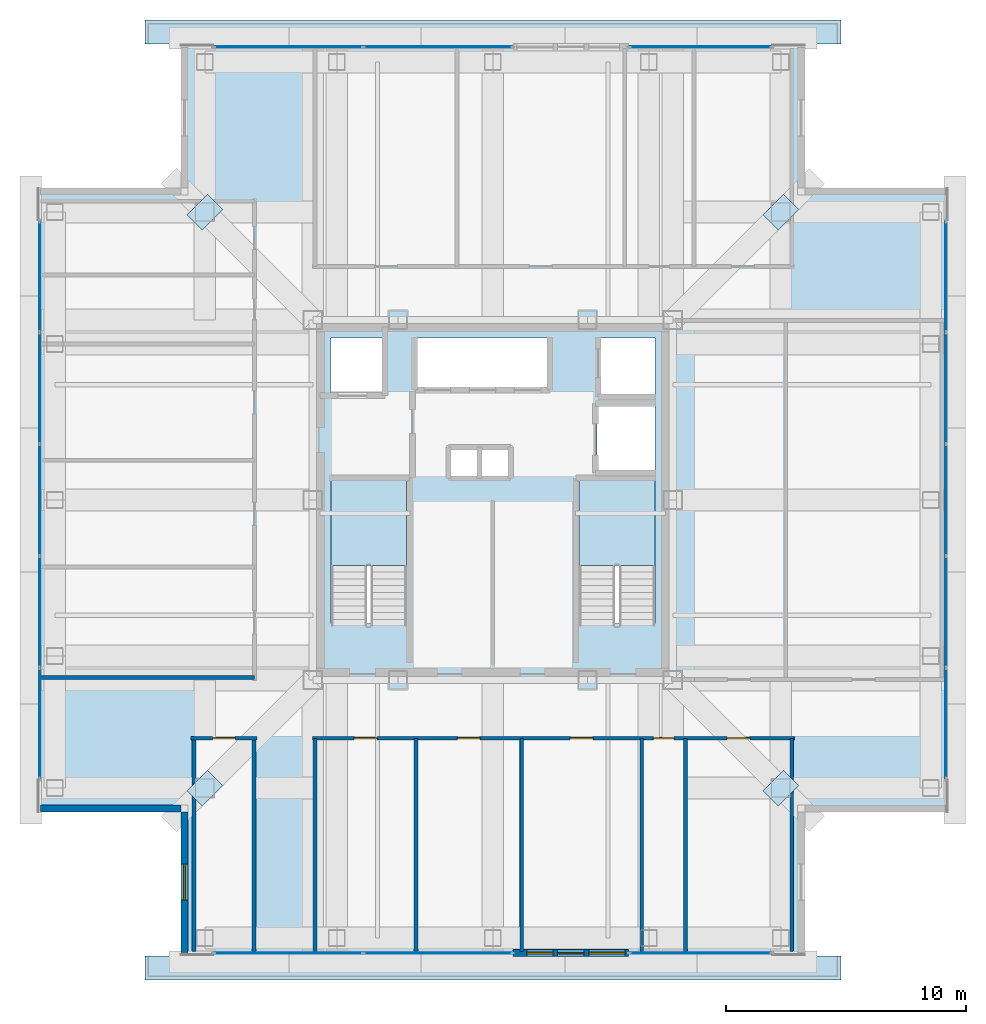
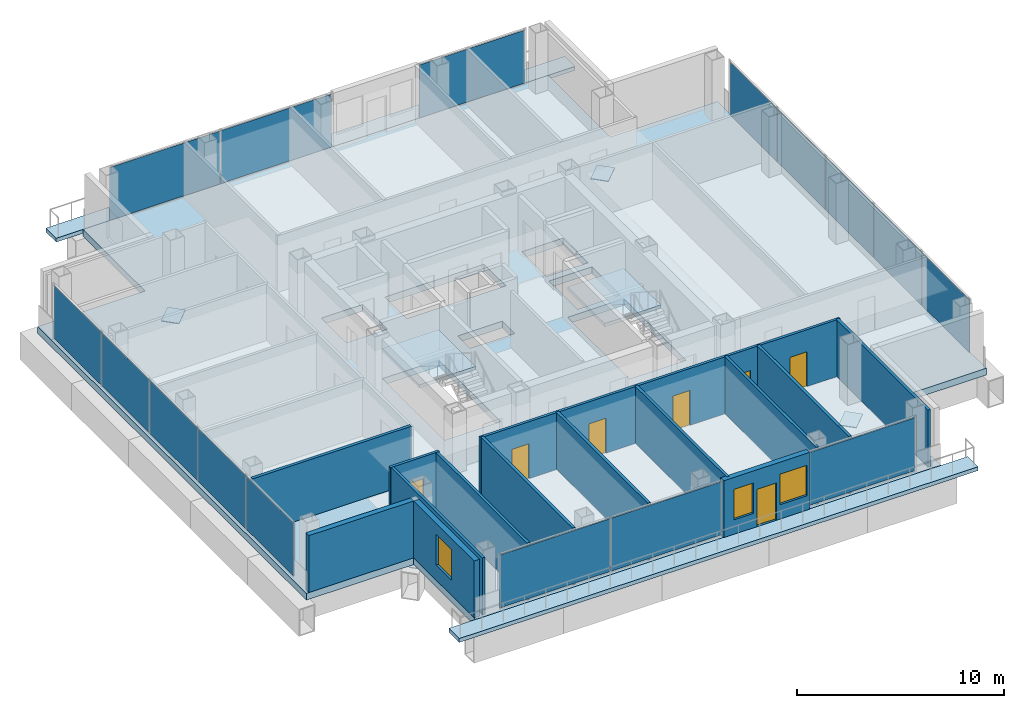
# One storey, part 7 of 15: 20 plates, 14 walls, 7 doors, 5 slabs, 3 windows, 10 openings, 8 elements without a shape of their own.
"""IFC4 building model written with IfcOpenShell, lengths in metres."""

from ifc_helpers import new_model, si_unit, direction, frame, frame_2d, origin, origin_2d, place, context, subcontext, project, spatial, polyline, rectangle, outline, extrude, material, layer, layer_set, type_object, element, fill, aggregate, save


model = new_model("IFC4")

# Units and contexts
model_context = context("Model", 3, precision=1e-05, world=origin(), true_north=direction((0.0, 1.0)))
body_context = subcontext(model_context, "Body", "Model", "MODEL_VIEW")
ifc_project = project(units=[si_unit("LENGTHUNIT", "METRE"), si_unit("AREAUNIT", "SQUARE_METRE"), si_unit("VOLUMEUNIT", "CUBIC_METRE"), si_unit("PLANEANGLEUNIT", "RADIAN"), si_unit("MASSUNIT", "GRAM", prefix="KILO")], contexts=[model_context])

# Site, building, storey
site_placement = place(None, origin())
site = spatial("IfcSite", under=ifc_project, at=site_placement, CompositionType="ELEMENT")
building_placement = place(site_placement, origin())
building = spatial("IfcBuilding", under=site, at=building_placement, Name="Trevonay Congress Spire", CompositionType="ELEMENT")
storey_placement = place(building_placement, frame((0.0, 0.0, 232.39990234375)))
storey = spatial("IfcBuildingStorey", under=building, at=storey_placement, Name="L60", CompositionType="ELEMENT", Elevation=232.39990234375)

# Curtain wall, plates
ifc_material_1 = material(Name="Pale Anodised Aluminium EN AW-6063-T6", Category="aluminium")
ifc_layer_1 = layer(ifc_material_1, 0.1650390625, Name="Pale Anodised Aluminium EN AW-6063-T6")
ifc_layer_set_1 = layer_set([ifc_layer_1], Name="Pale Anodised Aluminium EN AW-6063-T6")
curtain_wall_type = type_object("IfcCurtainWallType", Name="CW-SYS05-DIPLOM-PALE-METAL", PredefinedType="NOTDEFINED", material=ifc_layer_set_1)
curtain_wall_1_placement = place(storey_placement, origin())
curtain_wall_1 = element("IfcCurtainWall", 1, at=curtain_wall_1_placement, inside=storey, type_object=curtain_wall_type, Name="L60 SA unitised curtain wall", PredefinedType="NOTDEFINED")
ifc_material_2 = material(Name="Insulated Low-E Vision Glass IGU", Category="glass")
ifc_layer_2 = layer(ifc_material_2, 0.035888671875, Name="Insulated Low-E Vision Glass IGU")
ifc_layer_set_2 = layer_set([ifc_layer_2], Name="Insulated Low-E Vision Glass IGU")
plate_type_1 = type_object("IfcPlateType", Name="CW-PANEL-IGU36-SILVER", PredefinedType="CURTAIN_PANEL", material=ifc_layer_set_2)
plate_1_placement = place(storey_placement, frame((-8.510009765625, -18.8798828125, 0.1201171875), z_axis=(0.0, 0.0, 1.0), x_axis=(1.0, 0.0, 0.0)))
plate_1 = element("IfcPlate", 2, at=plate_1_placement, type_object=plate_type_1, Name="CW05 panel 1.1", PredefinedType="CURTAIN_PANEL", context=body_context, shape_type="SweptSolid", body=[
    extrude(rectangle(XDim=6.159912109375, YDim=0.035888671875, at=origin_2d()), origin(), (0.0, 0.0, 1.0), 3.1201171875),
])
plate_2_placement = place(storey_placement, frame((-2.2900390625, -18.8798828125, 0.1201171875), z_axis=(0.0, 0.0, 1.0), x_axis=(1.0, 0.0, 0.0)))
plate_2 = element("IfcPlate", 3, at=plate_2_placement, type_object=plate_type_1, Name="CW05 panel 2.1", PredefinedType="CURTAIN_PANEL", context=body_context, shape_type="SweptSolid", body=[
    extrude(rectangle(XDim=6.159912109375, YDim=0.035888671875, at=origin_2d()), origin(), (0.0, 0.0, 1.0), 3.1201171875),
])
aggregate(curtain_wall_1, [plate_1, plate_2])

# Curtain wall, plate
curtain_wall_2_placement = place(storey_placement, origin())
curtain_wall_2 = element("IfcCurtainWall", 4, at=curtain_wall_2_placement, inside=storey, type_object=curtain_wall_type, Name="L60 SB unitised curtain wall", PredefinedType="NOTDEFINED")
plate_3_placement = place(storey_placement, frame((8.64990234375, -18.8798828125, 0.1201171875), z_axis=(0.0, 0.0, 1.0), x_axis=(1.0, 0.0, 0.0)))
plate_3 = element("IfcPlate", 5, at=plate_3_placement, type_object=plate_type_1, Name="CW05 panel 1.1", PredefinedType="CURTAIN_PANEL", context=body_context, shape_type="SweptSolid", body=[
    extrude(rectangle(XDim=5.8798828125, YDim=0.035888671875, at=origin_2d()), origin(), (0.0, 0.0, 1.0), 3.1201171875),
])
aggregate(curtain_wall_2, [plate_3])

# Curtain wall, plates
curtain_wall_3_placement = place(storey_placement, origin())
curtain_wall_3 = element("IfcCurtainWall", 6, at=curtain_wall_3_placement, inside=storey, type_object=curtain_wall_type, Name="L60 NA unitised curtain wall", PredefinedType="NOTDEFINED")
plate_4_placement = place(storey_placement, frame((-8.510009765625, 18.8798828125, 0.1201171875), z_axis=(0.0, 0.0, 1.0), x_axis=(1.0, 0.0, 0.0)))
plate_4 = element("IfcPlate", 7, at=plate_4_placement, type_object=plate_type_1, Name="CW05 panel 1.1", PredefinedType="CURTAIN_PANEL", context=body_context, shape_type="SweptSolid", body=[
    extrude(rectangle(XDim=6.159912109375, YDim=0.035888671875, at=origin_2d()), origin(), (0.0, 0.0, 1.0), 3.1201171875),
])
plate_5_placement = place(storey_placement, frame((-2.2900390625, 18.8798828125, 0.1201171875), z_axis=(0.0, 0.0, 1.0), x_axis=(1.0, 0.0, 0.0)))
plate_5 = element("IfcPlate", 8, at=plate_5_placement, type_object=plate_type_1, Name="CW05 panel 2.1", PredefinedType="CURTAIN_PANEL", context=body_context, shape_type="SweptSolid", body=[
    extrude(rectangle(XDim=6.159912109375, YDim=0.035888671875, at=origin_2d()), origin(), (0.0, 0.0, 1.0), 3.1201171875),
])
aggregate(curtain_wall_3, [plate_4, plate_5])

# Curtain wall, plate
curtain_wall_4_placement = place(storey_placement, origin())
curtain_wall_4 = element("IfcCurtainWall", 9, at=curtain_wall_4_placement, inside=storey, type_object=curtain_wall_type, Name="L60 NB unitised curtain wall", PredefinedType="NOTDEFINED")
plate_6_placement = place(storey_placement, frame((8.64990234375, 18.8798828125, 0.1201171875), z_axis=(0.0, 0.0, 1.0), x_axis=(1.0, 0.0, 0.0)))
plate_6 = element("IfcPlate", 10, at=plate_6_placement, type_object=plate_type_1, Name="CW05 panel 1.1", PredefinedType="CURTAIN_PANEL", context=body_context, shape_type="SweptSolid", body=[
    extrude(rectangle(XDim=5.8798828125, YDim=0.035888671875, at=origin_2d()), origin(), (0.0, 0.0, 1.0), 3.1201171875),
])
aggregate(curtain_wall_4, [plate_6])

# Curtain wall, plates
curtain_wall_5_placement = place(storey_placement, origin())
curtain_wall_5 = element("IfcCurtainWall", 11, at=curtain_wall_5_placement, inside=storey, type_object=curtain_wall_type, Name="L60 W unitised curtain wall", PredefinedType="NOTDEFINED")
plate_7_placement = place(storey_placement, frame((-18.8798828125, -9.304931640625, 0.1201171875), z_axis=(0.0, 0.0, 1.0), x_axis=(0.0, 1.0, 0.0)))
plate_7 = element("IfcPlate", 12, at=plate_7_placement, type_object=plate_type_1, Name="CW05 panel 1.1", PredefinedType="CURTAIN_PANEL", context=body_context, shape_type="SweptSolid", body=[
    extrude(rectangle(XDim=4.570068359375, YDim=0.035888671875, at=origin_2d()), origin(), (0.0, 0.0, 1.0), 3.1201171875),
])
plate_8_placement = place(storey_placement, frame((-18.8798828125, -4.659912109375, 0.1201171875), z_axis=(0.0, 0.0, 1.0), x_axis=(0.0, 1.0, 0.0)))
plate_8 = element("IfcPlate", 13, at=plate_8_placement, type_object=plate_type_1, Name="CW05 panel 2.1", PredefinedType="CURTAIN_PANEL", context=body_context, shape_type="SweptSolid", body=[
    extrude(rectangle(XDim=4.60009765625, YDim=0.035888671875, at=origin_2d()), origin(), (0.0, 0.0, 1.0), 3.1201171875),
])
plate_9_placement = place(storey_placement, frame((-18.8798828125, 0.0, 0.1201171875), z_axis=(0.0, 0.0, 1.0), x_axis=(0.0, 1.0, 0.0)))
plate_9 = element("IfcPlate", 14, at=plate_9_placement, type_object=plate_type_1, Name="CW05 panel 3.1", PredefinedType="CURTAIN_PANEL", context=body_context, shape_type="SweptSolid", body=[
    extrude(rectangle(XDim=4.60009765625, YDim=0.035888671875, at=origin_2d()), origin(), (0.0, 0.0, 1.0), 3.1201171875),
])
plate_10_placement = place(storey_placement, frame((-18.8798828125, 4.659912109375, 0.1201171875), z_axis=(0.0, 0.0, 1.0), x_axis=(0.0, 1.0, 0.0)))
plate_10 = element("IfcPlate", 15, at=plate_10_placement, type_object=plate_type_1, Name="CW05 panel 4.1", PredefinedType="CURTAIN_PANEL", context=body_context, shape_type="SweptSolid", body=[
    extrude(rectangle(XDim=4.60009765625, YDim=0.035888671875, at=origin_2d()), origin(), (0.0, 0.0, 1.0), 3.1201171875),
])
plate_11_placement = place(storey_placement, frame((-18.8798828125, 9.304931640625, 0.1201171875), z_axis=(0.0, 0.0, 1.0), x_axis=(0.0, 1.0, 0.0)))
plate_11 = element("IfcPlate", 16, at=plate_11_placement, type_object=plate_type_1, Name="CW05 panel 5.1", PredefinedType="CURTAIN_PANEL", context=body_context, shape_type="SweptSolid", body=[
    extrude(rectangle(XDim=4.570068359375, YDim=0.035888671875, at=origin_2d()), origin(), (0.0, 0.0, 1.0), 3.1201171875),
])
aggregate(curtain_wall_5, [plate_7, plate_8, plate_9, plate_10, plate_11])

curtain_wall_6_placement = place(storey_placement, origin())
curtain_wall_6 = element("IfcCurtainWall", 17, at=curtain_wall_6_placement, inside=storey, type_object=curtain_wall_type, Name="L60 E unitised curtain wall", PredefinedType="NOTDEFINED")
plate_12_placement = place(storey_placement, frame((18.8798828125, -9.304931640625, 0.1201171875), z_axis=(0.0, 0.0, 1.0), x_axis=(0.0, 1.0, 0.0)))
plate_12 = element("IfcPlate", 18, at=plate_12_placement, type_object=plate_type_1, Name="CW05 panel 1.1", PredefinedType="CURTAIN_PANEL", context=body_context, shape_type="SweptSolid", body=[
    extrude(rectangle(XDim=4.570068359375, YDim=0.035888671875, at=origin_2d()), origin(), (0.0, 0.0, 1.0), 3.1201171875),
])
plate_13_placement = place(storey_placement, frame((18.8798828125, -4.659912109375, 0.1201171875), z_axis=(0.0, 0.0, 1.0), x_axis=(0.0, 1.0, 0.0)))
plate_13 = element("IfcPlate", 19, at=plate_13_placement, type_object=plate_type_1, Name="CW05 panel 2.1", PredefinedType="CURTAIN_PANEL", context=body_context, shape_type="SweptSolid", body=[
    extrude(rectangle(XDim=4.60009765625, YDim=0.035888671875, at=origin_2d()), origin(), (0.0, 0.0, 1.0), 3.1201171875),
])
plate_14_placement = place(storey_placement, frame((18.8798828125, 0.0, 0.1201171875), z_axis=(0.0, 0.0, 1.0), x_axis=(0.0, 1.0, 0.0)))
plate_14 = element("IfcPlate", 20, at=plate_14_placement, type_object=plate_type_1, Name="CW05 panel 3.1", PredefinedType="CURTAIN_PANEL", context=body_context, shape_type="SweptSolid", body=[
    extrude(rectangle(XDim=4.60009765625, YDim=0.035888671875, at=origin_2d()), origin(), (0.0, 0.0, 1.0), 3.1201171875),
])
plate_15_placement = place(storey_placement, frame((18.8798828125, 4.659912109375, 0.1201171875), z_axis=(0.0, 0.0, 1.0), x_axis=(0.0, 1.0, 0.0)))
plate_15 = element("IfcPlate", 21, at=plate_15_placement, type_object=plate_type_1, Name="CW05 panel 4.1", PredefinedType="CURTAIN_PANEL", context=body_context, shape_type="SweptSolid", body=[
    extrude(rectangle(XDim=4.60009765625, YDim=0.035888671875, at=origin_2d()), origin(), (0.0, 0.0, 1.0), 3.1201171875),
])
plate_16_placement = place(storey_placement, frame((18.8798828125, 9.304931640625, 0.1201171875), z_axis=(0.0, 0.0, 1.0), x_axis=(0.0, 1.0, 0.0)))
plate_16 = element("IfcPlate", 22, at=plate_16_placement, type_object=plate_type_1, Name="CW05 panel 5.1", PredefinedType="CURTAIN_PANEL", context=body_context, shape_type="SweptSolid", body=[
    extrude(rectangle(XDim=4.570068359375, YDim=0.035888671875, at=origin_2d()), origin(), (0.0, 0.0, 1.0), 3.1201171875),
])
aggregate(curtain_wall_6, [plate_12, plate_13, plate_14, plate_15, plate_16])

# Plates
ifc_material_3 = material(Name="Steel ASTM A572 Grade 50", Category="steel")
ifc_layer_3 = layer(ifc_material_3, 0.044921875, Name="Steel ASTM A572 Grade 50")
ifc_layer_set_3 = layer_set([ifc_layer_3], Name="Steel ASTM A572 Grade 50")
plate_type_2 = type_object("IfcPlateType", Name="PLT-GUSSET-INT-45", PredefinedType="USERDEFINED", material=ifc_layer_set_3)
for number, where, z_axis, x_axis, name in (
    (23, (-12.0, -12.0, -1.222412109375), (0.0, 0.0, 1.0), (0.707106781187, 0.707106781187, 0.0), "L60 setback column transfer gusset plate KN-01 (SW)"),
    (24, (12.0, -12.0, -1.222412109375), (0.0, 0.0, 1.0), (0.707106781187, 0.707106781187, 0.0), "L60 setback column transfer gusset plate KN-01 (SE)"),
    (25, (12.0, 12.0, -1.222412109375), (0.0, 0.0, 1.0), (0.707106781187, 0.707106781187, 0.0), "L60 setback column transfer gusset plate KN-01 (NE)"),
    (26, (-12.0, 12.0, -1.222412109375), (0.0, 0.0, 1.0), (0.707106781187, 0.707106781187, 0.0), "L60 setback column transfer gusset plate KN-01 (NW)"),
):
    element("IfcPlate", number, at=place(storey_placement, frame(where, z_axis=z_axis, x_axis=x_axis)), inside=storey, type_object=plate_type_2, Name=name, ObjectType="GUSSET_PLATE", PredefinedType="USERDEFINED", context=body_context, shape_type="SweptSolid", body=[
        extrude(rectangle(XDim=1.199951171875, YDim=0.89990234375, at=origin_2d()), origin(), (0.0, 0.0, 1.0), 0.044921875),
    ])

# Slabs
ifc_material_4 = material(Name="Concrete C40/50", Category="concrete")
ifc_layer_4 = layer(ifc_material_4, 0.22998046875, Name="Concrete C40/50")
ifc_layer_set_4 = layer_set([ifc_layer_4], Name="Concrete C40/50")
slab_type_1 = type_object("IfcSlabType", Name="SLB-SKYGARD-230", PredefinedType="FLOOR", material=ifc_layer_set_4)
slab_1_placement = place(storey_placement, frame((0.0, 0.0, -0.22998046875)))
element("IfcSlab", 27, at=slab_1_placement, inside=storey, type_object=slab_type_1, Name="L60 setback sky-garden terrace slab S", PredefinedType="FLOOR", context=body_context, shape_type="SweptSolid", body=[
    extrude(outline(polyline([(-14.5, -20.0), (14.5, -20.0), (14.5, -19.0), (-14.5, -19.0), (-14.5, -20.0)])), origin(), (0.0, 0.0, 1.0), 0.22998046875),
])
slab_2_placement = place(storey_placement, frame((0.0, 0.0, -0.22998046875)))
element("IfcSlab", 28, at=slab_2_placement, inside=storey, type_object=slab_type_1, Name="L60 setback sky-garden terrace slab N", PredefinedType="FLOOR", context=body_context, shape_type="SweptSolid", body=[
    extrude(outline(polyline([(-14.5, 19.0), (14.5, 19.0), (14.5, 20.0), (-14.5, 20.0), (-14.5, 19.0)])), origin(), (0.0, 0.0, 1.0), 0.22998046875),
])

# Stair, slab
stair_type_1 = type_object("IfcStairType", Name="STR-ST-1", PredefinedType="HALF_TURN_STAIR", material=ifc_material_4)
stair_1_placement = place(storey_placement, origin())
stair_1 = element("IfcStair", 29, at=stair_1_placement, inside=storey, type_object=stair_type_1, Name="L60 Protected Exit Stair ST-1", PredefinedType="HALF_TURN_STAIR")
ifc_layer_5 = layer(ifc_material_4, 0.199951171875, Name="Concrete C40/50")
ifc_layer_set_5 = layer_set([ifc_layer_5], Name="Concrete C40/50")
slab_type_2 = type_object("IfcSlabType", Name="SLB-STAIR-LAND-200", PredefinedType="LANDING", material=ifc_layer_set_5)
slab_3_placement = place(storey_placement, frame((0.0, 0.0, 1.60009765625)))
slab_3 = element("IfcSlab", 30, at=slab_3_placement, type_object=slab_type_2, Name="ST-1 landing 1", PredefinedType="LANDING", context=body_context, shape_type="SweptSolid", body=[
    extrude(outline(polyline([(-3.60009765625, -2.72998046875), (-3.60009765625, 0.85009765625), (-6.75, 0.85009765625), (-6.75, -2.72998046875), (-3.60009765625, -2.72998046875)])), origin(), (0.0, 0.0, 1.0), 0.199951171875),
])
aggregate(stair_1, [slab_3])

stair_type_2 = type_object("IfcStairType", Name="STR-ST-2", PredefinedType="HALF_TURN_STAIR", material=ifc_material_4)
stair_2_placement = place(storey_placement, origin())
stair_2 = element("IfcStair", 31, at=stair_2_placement, inside=storey, type_object=stair_type_2, Name="L60 Protected Exit Stair ST-2", PredefinedType="HALF_TURN_STAIR")
slab_4_placement = place(storey_placement, frame((0.0, 0.0, 1.60009765625)))
slab_4 = element("IfcSlab", 32, at=slab_4_placement, type_object=slab_type_2, Name="ST-2 landing 1", PredefinedType="LANDING", context=body_context, shape_type="SweptSolid", body=[
    extrude(outline(polyline([(6.75, -2.72998046875), (6.75, 0.85009765625), (3.60009765625, 0.85009765625), (3.60009765625, -2.72998046875), (6.75, -2.72998046875)])), origin(), (0.0, 0.0, 1.0), 0.199951171875),
])
aggregate(stair_2, [slab_4])

# Slab
ifc_layer_6 = layer(ifc_material_4, 0.39990234375, Name="Concrete C40/50")
ifc_layer_set_6 = layer_set([ifc_layer_6], Name="Concrete C40/50")
slab_type_3 = type_object("IfcSlabType", Name="SLB-XFER-400", PredefinedType="FLOOR", material=ifc_layer_set_6)
slab_5_placement = place(storey_placement, frame((0.0, 0.0, -0.39990234375)))
element("IfcSlab", 33, at=slab_5_placement, inside=storey, type_object=slab_type_3, Name="L60 structural floor slab", PredefinedType="FLOOR", context=body_context, shape_type="SweptSolid", body=[
    extrude(outline(polyline([(-13.0, -19.0), (13.0, -19.0), (13.0, -13.0), (19.0, -13.0), (19.0, 13.0), (13.0, 13.0), (13.0, 19.0), (-13.0, 19.0), (-13.0, 13.0), (-19.0, 13.0), (-19.0, -13.0), (-13.0, -13.0), (-13.0, -19.0)]), holes=[polyline([(-3.60009765625, -5.14990234375), (-3.60009765625, 0.85009765625), (-6.75, 0.85009765625), (-6.75, -5.14990234375), (-3.60009765625, -5.14990234375)]), polyline([(6.75, -5.14990234375), (6.75, 0.85009765625), (3.60009765625, 0.85009765625), (3.60009765625, -5.14990234375), (6.75, -5.14990234375)]), polyline([(-3.199951171875, 4.64990234375), (2.340087890625, 4.64990234375), (2.340087890625, 6.75), (-3.199951171875, 6.75), (-3.199951171875, 4.64990234375)]), polyline([(-6.75, 4.35009765625), (-4.449951171875, 4.35009765625), (-4.449951171875, 6.75), (-6.75, 6.75), (-6.75, 4.35009765625)]), polyline([(4.449951171875, 4.35009765625), (6.75, 4.35009765625), (6.75, 6.75), (4.449951171875, 6.75), (4.449951171875, 4.35009765625)]), polyline([(4.35009765625, 1.199951171875), (6.75, 1.199951171875), (6.75, 3.949951171875), (4.35009765625, 3.949951171875), (4.35009765625, 1.199951171875)]), polyline([(-1.800048828125, 0.949951171875), (0.699951171875, 0.949951171875), (0.699951171875, 2.14990234375), (-1.800048828125, 2.14990234375), (-1.800048828125, 0.949951171875)])]), origin(), (0.0, 0.0, 1.0), 0.39990234375),
])

# Wall, opening, door
ifc_layer_7 = layer(ifc_material_4, 0.14990234375, Name="Concrete C40/50")
ifc_layer_set_7 = layer_set([ifc_layer_7], Name="Concrete C40/50")
wall_type_1 = type_object("IfcWallType", Name="WAL-CORR-150", PredefinedType="PARTITIONING", material=ifc_layer_set_7)
wall_1_placement = place(storey_placement, frame((-12.570068359375, -9.929931640625, 0.0), z_axis=(0.0, 0.0, 1.0), x_axis=(1.0, 0.0, 0.0)))
wall_1 = element("IfcWall", 34, at=wall_1_placement, inside=storey, type_object=wall_type_1, Name="L60 interior wall WP-L60SW-COR", PredefinedType="PARTITIONING", context=body_context, shape_type="SweptSolid", body=[
    extrude(rectangle(XDim=2.739990234375, YDim=0.14990234375, at=frame_2d((1.3701171875, 0.0))), origin(), (0.0, 0.0, 1.0), 3.360107421875),
])
opening_1_placement = place(wall_1_placement, frame((0.89501953125, 0.0, 0.0)))
opening_1 = element("IfcOpeningElement", 35, at=opening_1_placement, cuts=wall_1, Name="Opening D07", PredefinedType="OPENING", context=body_context, shape_type="SweptSolid", body=[
    extrude(rectangle(XDim=0.949951171875, YDim=2.06005859375, at=frame_2d((0.47509765625, 1.030029296875))), frame((0.0, 0.0849609375, 0.0), z_axis=(0.0, -1.0, 0.0), x_axis=(1.0, 0.0, 0.0)), (0.0, 0.0, 1.0), 0.169921875),
])
door_type_1 = type_object("IfcDoorType", Name="DOR-OFFICE-95", OperationType="NOTDEFINED", PredefinedType="DOOR", material=ifc_material_1)
door_1_placement = place(opening_1_placement, origin())
door_1 = element("IfcDoor", 36, at=door_1_placement, inside=storey, type_object=door_type_1, Name="L60 Ambassador Corner Office Door", OperationType="SINGLE_SWING_RIGHT", OverallHeight=2.06005859375, OverallWidth=0.949951171875, PredefinedType="DOOR", context=body_context, shape_type="SweptSolid", body=[
    extrude(rectangle(XDim=0.949951171875, YDim=2.06005859375, at=frame_2d((0.47509765625, 1.030029296875))), frame((0.0, 0.02490234375, 0.0), z_axis=(0.0, -1.0, 0.0), x_axis=(1.0, 0.0, 0.0)), (0.0, 0.0, 1.0), 0.050048828125),
])
fill(opening_1, door_1)

# Wall, openings, doors
wall_2_placement = place(storey_placement, frame((-7.52001953125, -9.929931640625, 0.0), z_axis=(0.0, 0.0, 1.0), x_axis=(1.0, 0.0, 0.0)))
wall_2 = element("IfcWall", 37, at=wall_2_placement, inside=storey, type_object=wall_type_1, Name="L60 interior wall WP-L60SE-COR", PredefinedType="PARTITIONING", context=body_context, shape_type="SweptSolid", body=[
    extrude(rectangle(XDim=20.090087890625, YDim=0.14990234375, at=frame_2d((10.044921875, 0.0))), origin(), (0.0, 0.0, 1.0), 3.360107421875),
])
opening_2_placement = place(wall_2_placement, frame((1.7451171875, 0.0, 0.0)))
opening_2 = element("IfcOpeningElement", 38, at=opening_2_placement, cuts=wall_2, Name="Opening D07", PredefinedType="OPENING", context=body_context, shape_type="SweptSolid", body=[
    extrude(rectangle(XDim=0.949951171875, YDim=2.06005859375, at=frame_2d((0.47509765625, 1.030029296875))), frame((0.0, 0.0849609375, 0.0), z_axis=(0.0, -1.0, 0.0), x_axis=(1.0, 0.0, 0.0)), (0.0, 0.0, 1.0), 0.169921875),
])
opening_3_placement = place(wall_2_placement, frame((6.044921875, 0.0, 0.0)))
opening_3 = element("IfcOpeningElement", 39, at=opening_3_placement, cuts=wall_2, Name="Opening D07", PredefinedType="OPENING", context=body_context, shape_type="SweptSolid", body=[
    extrude(rectangle(XDim=0.949951171875, YDim=2.06005859375, at=frame_2d((0.47509765625, 1.030029296875))), frame((0.0, 0.0849609375, 0.0), z_axis=(0.0, -1.0, 0.0), x_axis=(1.0, 0.0, 0.0)), (0.0, 0.0, 1.0), 0.169921875),
])
opening_4_placement = place(wall_2_placement, frame((10.7451171875, 0.0, 0.0)))
opening_4 = element("IfcOpeningElement", 40, at=opening_4_placement, cuts=wall_2, Name="Opening D07", PredefinedType="OPENING", context=body_context, shape_type="SweptSolid", body=[
    extrude(rectangle(XDim=0.949951171875, YDim=2.06005859375, at=frame_2d((0.47509765625, 1.030029296875))), frame((0.0, 0.0849609375, 0.0), z_axis=(0.0, -1.0, 0.0), x_axis=(1.0, 0.0, 0.0)), (0.0, 0.0, 1.0), 0.169921875),
])
opening_5_placement = place(wall_2_placement, frame((14.2099609375, 0.0, 0.0)))
opening_5 = element("IfcOpeningElement", 41, at=opening_5_placement, cuts=wall_2, Name="Opening D10", PredefinedType="OPENING", context=body_context, shape_type="SweptSolid", body=[
    extrude(rectangle(XDim=0.85009765625, YDim=2.050048828125, at=frame_2d((0.425048828125, 1.02490234375))), frame((0.0, 0.0849609375, 0.0), z_axis=(0.0, -1.0, 0.0), x_axis=(1.0, 0.0, 0.0)), (0.0, 0.0, 1.0), 0.169921875),
])
opening_6_placement = place(wall_2_placement, frame((17.284912109375, 0.0, 0.0)))
opening_6 = element("IfcOpeningElement", 42, at=opening_6_placement, cuts=wall_2, Name="Opening D07", PredefinedType="OPENING", context=body_context, shape_type="SweptSolid", body=[
    extrude(rectangle(XDim=0.949951171875, YDim=2.06005859375, at=frame_2d((0.47509765625, 1.030029296875))), frame((0.0, 0.0849609375, 0.0), z_axis=(0.0, -1.0, 0.0), x_axis=(1.0, 0.0, 0.0)), (0.0, 0.0, 1.0), 0.169921875),
])
door_2_placement = place(opening_2_placement, origin())
door_2 = element("IfcDoor", 43, at=door_2_placement, inside=storey, type_object=door_type_1, Name="L60 Consular Visa Office Door", OperationType="SINGLE_SWING_LEFT", OverallHeight=2.06005859375, OverallWidth=0.949951171875, PredefinedType="DOOR", context=body_context, shape_type="SweptSolid", body=[
    extrude(rectangle(XDim=0.949951171875, YDim=2.06005859375, at=frame_2d((0.47509765625, 1.030029296875))), frame((0.0, 0.02490234375, 0.0), z_axis=(0.0, -1.0, 0.0), x_axis=(1.0, 0.0, 0.0)), (0.0, 0.0, 1.0), 0.050048828125),
])
fill(opening_2, door_2)
door_3_placement = place(opening_3_placement, origin())
door_3 = element("IfcDoor", 44, at=door_3_placement, inside=storey, type_object=door_type_1, Name="L60 Political Chancery Office Door", OperationType="SINGLE_SWING_RIGHT", OverallHeight=2.06005859375, OverallWidth=0.949951171875, PredefinedType="DOOR", context=body_context, shape_type="SweptSolid", body=[
    extrude(rectangle(XDim=0.949951171875, YDim=2.06005859375, at=frame_2d((0.47509765625, 1.030029296875))), frame((0.0, 0.02490234375, 0.0), z_axis=(0.0, -1.0, 0.0), x_axis=(1.0, 0.0, 0.0)), (0.0, 0.0, 1.0), 0.050048828125),
])
fill(opening_3, door_3)
door_4_placement = place(opening_4_placement, origin())
door_4 = element("IfcDoor", 45, at=door_4_placement, inside=storey, type_object=door_type_1, Name="L60 Economic Attache Office Door", OperationType="SINGLE_SWING_LEFT", OverallHeight=2.06005859375, OverallWidth=0.949951171875, PredefinedType="DOOR", context=body_context, shape_type="SweptSolid", body=[
    extrude(rectangle(XDim=0.949951171875, YDim=2.06005859375, at=frame_2d((0.47509765625, 1.030029296875))), frame((0.0, 0.02490234375, 0.0), z_axis=(0.0, -1.0, 0.0), x_axis=(1.0, 0.0, 0.0)), (0.0, 0.0, 1.0), 0.050048828125),
])
fill(opening_4, door_4)
door_5_placement = place(opening_6_placement, origin())
door_5 = element("IfcDoor", 46, at=door_5_placement, inside=storey, type_object=door_type_1, Name="L60 Floor Supplies and Copy Room Door", OperationType="SINGLE_SWING_LEFT", OverallHeight=2.06005859375, OverallWidth=0.949951171875, PredefinedType="DOOR", context=body_context, shape_type="SweptSolid", body=[
    extrude(rectangle(XDim=0.949951171875, YDim=2.06005859375, at=frame_2d((0.47509765625, 1.030029296875))), frame((0.0, 0.02490234375, 0.0), z_axis=(0.0, -1.0, 0.0), x_axis=(1.0, 0.0, 0.0)), (0.0, 0.0, 1.0), 0.050048828125),
])
fill(opening_6, door_5)
door_type_2 = type_object("IfcDoorType", Name="DOR-WC-85", OperationType="NOTDEFINED", PredefinedType="DOOR", material=ifc_material_1)
door_6_placement = place(opening_5_placement, origin())
door_6 = element("IfcDoor", 47, at=door_6_placement, inside=storey, type_object=door_type_2, Name="L60 Accessible WC Door", OperationType="SINGLE_SWING_RIGHT", OverallHeight=2.050048828125, OverallWidth=0.85009765625, PredefinedType="DOOR", context=body_context, shape_type="SweptSolid", body=[
    extrude(rectangle(XDim=0.85009765625, YDim=2.050048828125, at=frame_2d((0.425048828125, 1.02490234375))), frame((0.0, 0.02490234375, 0.0), z_axis=(0.0, -1.0, 0.0), x_axis=(1.0, 0.0, 0.0)), (0.0, 0.0, 1.0), 0.050048828125),
])
fill(opening_5, door_6)

# Wall, openings, door, windows
ifc_material_5 = material(Name="Precast concrete C40/50", Category="concrete")
ifc_layer_8 = layer(ifc_material_5, 0.300048828125, Name="Precast concrete C40/50")
ifc_layer_set_8 = layer_set([ifc_layer_8], Name="Precast concrete C40/50")
wall_type_2 = type_object("IfcWallType", Name="WAL-EXT-PRECAST-300", PredefinedType="SOLIDWALL", material=ifc_layer_set_8)
wall_3_placement = place(storey_placement, frame((0.85009765625, -18.8798828125, 0.0), z_axis=(0.0, 0.0, 1.0), x_axis=(1.0, 0.0, 0.0)))
wall_3 = element("IfcWall", 48, at=wall_3_placement, inside=storey, type_object=wall_type_2, Name="L60 S glazed balcony portal exterior wall", PredefinedType="SOLIDWALL", context=body_context, shape_type="SweptSolid", body=[
    extrude(rectangle(XDim=4.7998046875, YDim=0.300048828125, at=frame_2d((2.39990234375, 0.0))), origin(), (0.0, 0.0, 1.0), 3.360107421875),
])
opening_7_placement = place(wall_3_placement, frame((1.85009765625, 0.0, 0.0)))
opening_7 = element("IfcOpeningElement", 49, at=opening_7_placement, cuts=wall_3, Name="Opening D03", PredefinedType="OPENING", context=body_context, shape_type="SweptSolid", body=[
    extrude(rectangle(XDim=1.10009765625, YDim=2.199951171875, at=frame_2d((0.550048828125, 1.10009765625))), frame((0.0, 0.16015625, 0.0), z_axis=(0.0, -1.0, 0.0), x_axis=(1.0, 0.0, 0.0)), (0.0, 0.0, 1.0), 0.320068359375),
])
opening_8_placement = place(wall_3_placement, frame((0.570068359375, 0.0, 0.85009765625)))
opening_8 = element("IfcOpeningElement", 50, at=opening_8_placement, cuts=wall_3, Name="Opening WN09", PredefinedType="OPENING", context=body_context, shape_type="SweptSolid", body=[
    extrude(rectangle(XDim=1.080078125, YDim=1.800048828125, at=frame_2d((0.5400390625, 0.89990234375))), frame((0.0, 0.16015625, 0.0), z_axis=(0.0, -1.0, 0.0), x_axis=(1.0, 0.0, 0.0)), (0.0, 0.0, 1.0), 0.320068359375),
])
opening_9_placement = place(wall_3_placement, frame((3.14990234375, 0.0, 0.85009765625)))
opening_9 = element("IfcOpeningElement", 51, at=opening_9_placement, cuts=wall_3, Name="Opening WN03", PredefinedType="OPENING", context=body_context, shape_type="SweptSolid", body=[
    extrude(rectangle(XDim=1.5, YDim=1.800048828125, at=frame_2d((0.75, 0.89990234375))), frame((0.0, 0.16015625, 0.0), z_axis=(0.0, -1.0, 0.0), x_axis=(1.0, 0.0, 0.0)), (0.0, 0.0, 1.0), 0.320068359375),
])
door_type_3 = type_object("IfcDoorType", Name="DOR-EXT-BAL-110", OperationType="NOTDEFINED", PredefinedType="DOOR", material=ifc_material_1)
door_7_placement = place(opening_7_placement, origin())
door_7 = element("IfcDoor", 52, at=door_7_placement, inside=storey, type_object=door_type_3, Name="L60 S glazed outdoor terrace and balcony door", OperationType="SINGLE_SWING_LEFT", OverallHeight=2.199951171875, OverallWidth=1.10009765625, PredefinedType="DOOR", context=body_context, shape_type="SweptSolid", body=[
    extrude(rectangle(XDim=1.10009765625, YDim=2.199951171875, at=frame_2d((0.550048828125, 1.10009765625))), frame((0.0, 0.02490234375, 0.0), z_axis=(0.0, -1.0, 0.0), x_axis=(1.0, 0.0, 0.0)), (0.0, 0.0, 1.0), 0.050048828125),
])
fill(opening_7, door_7)
window_type_1 = type_object("IfcWindowType", Name="WIN-NOTCH-150X180", PartitioningType="SINGLE_PANEL", PredefinedType="WINDOW", material=ifc_material_2)
window_1_placement = place(opening_9_placement, origin())
window_1 = element("IfcWindow", 53, at=window_1_placement, inside=storey, type_object=window_type_1, Name="L60 S balcony sidelight window R", OverallHeight=1.800048828125, OverallWidth=1.5, PartitioningType="SINGLE_PANEL", PredefinedType="WINDOW", context=body_context, shape_type="SweptSolid", body=[
    extrude(rectangle(XDim=1.5, YDim=1.800048828125, at=frame_2d((0.75, 0.89990234375))), frame((0.0, 0.030029296875, 0.0), z_axis=(0.0, -1.0, 0.0), x_axis=(1.0, 0.0, 0.0)), (0.0, 0.0, 1.0), 0.06005859375),
])
fill(opening_9, window_1)
window_type_2 = type_object("IfcWindowType", Name="WIN-SIDELIGHT-108X180", PartitioningType="SINGLE_PANEL", PredefinedType="WINDOW", material=ifc_material_2)
window_2_placement = place(opening_8_placement, origin())
window_2 = element("IfcWindow", 54, at=window_2_placement, inside=storey, type_object=window_type_2, Name="L60 S balcony sidelight window L", OverallHeight=1.800048828125, OverallWidth=1.080078125, PartitioningType="SINGLE_PANEL", PredefinedType="WINDOW", context=body_context, shape_type="SweptSolid", body=[
    extrude(rectangle(XDim=1.080078125, YDim=1.800048828125, at=frame_2d((0.5400390625, 0.89990234375))), frame((0.0, 0.030029296875, 0.0), z_axis=(0.0, -1.0, 0.0), x_axis=(1.0, 0.0, 0.0)), (0.0, 0.0, 1.0), 0.06005859375),
])
fill(opening_8, window_2)

# Wall, opening, window
wall_4_placement = place(storey_placement, frame((-12.85009765625, -18.85009765625, 0.0), z_axis=(0.0, 0.0, 1.0), x_axis=(0.0, 1.0, 0.0)))
wall_4 = element("IfcWall", 55, at=wall_4_placement, inside=storey, type_object=wall_type_2, Name="L60 SW re-entrant notch exterior wall 1", PredefinedType="SOLIDWALL", context=body_context, shape_type="SweptSolid", body=[
    extrude(rectangle(XDim=5.85009765625, YDim=0.300048828125, at=frame_2d((2.925048828125, 0.0))), origin(), (0.0, 0.0, 1.0), 3.360107421875),
])
opening_10_placement = place(wall_4_placement, frame((2.175048828125, 0.0, 0.89990234375)))
opening_10 = element("IfcOpeningElement", 56, at=opening_10_placement, cuts=wall_4, Name="Opening WN03", PredefinedType="OPENING", context=body_context, shape_type="SweptSolid", body=[
    extrude(rectangle(XDim=1.5, YDim=1.800048828125, at=frame_2d((0.75, 0.89990234375))), frame((0.0, 0.16015625, 0.0), z_axis=(0.0, -1.0, 0.0), x_axis=(1.0, 0.0, 0.0)), (0.0, 0.0, 1.0), 0.320068359375),
])
window_3_placement = place(opening_10_placement, origin())
window_3 = element("IfcWindow", 57, at=window_3_placement, inside=storey, type_object=window_type_1, Name="L60 SW corner notch window", OverallHeight=1.800048828125, OverallWidth=1.5, PartitioningType="SINGLE_PANEL", PredefinedType="WINDOW", context=body_context, shape_type="SweptSolid", body=[
    extrude(rectangle(XDim=1.5, YDim=1.800048828125, at=frame_2d((0.75, 0.89990234375))), frame((0.0, 0.030029296875, 0.0), z_axis=(0.0, -1.0, 0.0), x_axis=(1.0, 0.0, 0.0)), (0.0, 0.0, 1.0), 0.06005859375),
])
fill(opening_10, window_3)

# Walls
wall_5_placement = place(storey_placement, frame((-18.85009765625, -12.85009765625, 0.0), z_axis=(0.0, 0.0, 1.0), x_axis=(1.0, 0.0, 0.0)))
element("IfcWall", 58, at=wall_5_placement, inside=storey, type_object=wall_type_2, Name="L60 SW re-entrant notch exterior wall 2", PredefinedType="SOLIDWALL", context=body_context, shape_type="SweptSolid", body=[
    extrude(rectangle(XDim=5.85009765625, YDim=0.300048828125, at=frame_2d((2.925048828125, 0.0))), origin(), (0.0, 0.0, 1.0), 3.360107421875),
])
ifc_layer_9 = layer(ifc_material_4, 0.14990234375, Name="Concrete C40/50")
ifc_layer_set_9 = layer_set([ifc_layer_9], Name="Concrete C40/50")
wall_type_3 = type_object("IfcWallType", Name="WAL-PART-150", PredefinedType="PARTITIONING", material=ifc_layer_set_9)
for number, where, z_axis, x_axis, name in (
    (59, (-12.449951171875, -18.820068359375, 0.0), (0.0, 0.0, 1.0), (0.0, 1.0, 0.0), "L60 interior wall WP-L60SW-DIV1"),
    (60, (-9.949951171875, -18.820068359375, 0.0), (0.0, 0.0, 1.0), (0.0, 1.0, 0.0), "L60 interior wall WP-L60SW-DIV2"),
    (61, (1.199951171875, -18.820068359375, 0.0), (0.0, 0.0, 1.0), (0.0, 1.0, 0.0), "L60 interior wall WP-L60SE-DIV3"),
    (62, (6.199951171875, -18.820068359375, 0.0), (0.0, 0.0, 1.0), (0.0, 1.0, 0.0), "L60 interior wall WP-L60SE-DIV4"),
    (63, (12.449951171875, -18.820068359375, 0.0), (0.0, 0.0, 1.0), (0.0, 1.0, 0.0), "L60 interior wall WP-L60SE-DIV5"),
):
    element("IfcWall", number, at=place(storey_placement, frame(where, z_axis=z_axis, x_axis=x_axis)), inside=storey, type_object=wall_type_3, Name=name, PredefinedType="PARTITIONING", context=body_context, shape_type="SweptSolid", body=[
        extrude(rectangle(XDim=8.89013671875, YDim=0.14990234375, at=frame_2d((4.445068359375, 0.0))), origin(), (0.0, 0.0, 1.0), 3.360107421875),
    ])
ifc_layer_10 = layer(ifc_material_4, 0.1650390625, Name="Concrete C40/50")
ifc_layer_set_10 = layer_set([ifc_layer_10], Name="Concrete C40/50")
wall_type_4 = type_object("IfcWallType", Name="WAL-WET-165", PredefinedType="PLUMBINGWALL", material=ifc_layer_set_10)
for number, where, z_axis, x_axis, name in (
    (64, (8.030029296875, -18.820068359375, 0.0), (0.0, 0.0, 1.0), (0.0, 1.0, 0.0), "L60 interior wall WP-L60SE-WCS4"),
    (65, (-7.39990234375, -18.820068359375, 0.0), (0.0, 0.0, 1.0), (0.0, 1.0, 0.0), "L60 interior wall WP-L60SE-DIV1"),
    (66, (-3.199951171875, -18.820068359375, 0.0), (0.0, 0.0, 1.0), (0.0, 1.0, 0.0), "L60 interior wall WP-L60SE-DIV2"),
    (67, (-18.820068359375, -7.39990234375, 0.0), (0.0, 0.0, 1.0), (1.0, 0.0, 0.0), "L60 interior wall WP-L60NW-DIV1"),
):
    element("IfcWall", number, at=place(storey_placement, frame(where, z_axis=z_axis, x_axis=x_axis)), inside=storey, type_object=wall_type_4, Name=name, PredefinedType="PLUMBINGWALL", context=body_context, shape_type="SweptSolid", body=[
        extrude(rectangle(XDim=8.89013671875, YDim=0.1650390625, at=frame_2d((4.445068359375, 0.0))), origin(), (0.0, 0.0, 1.0), 3.360107421875),
    ])

save(model, "model.ifc")
